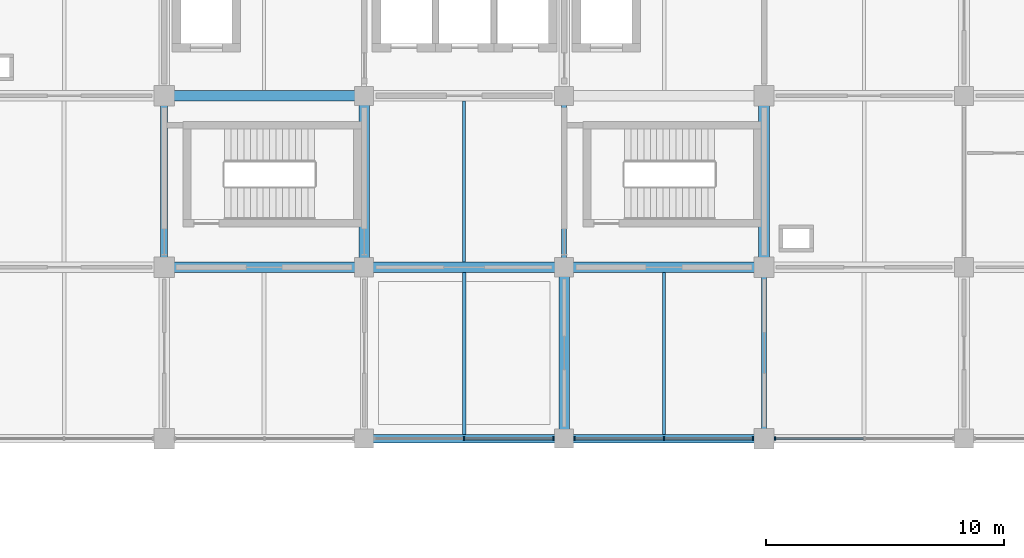
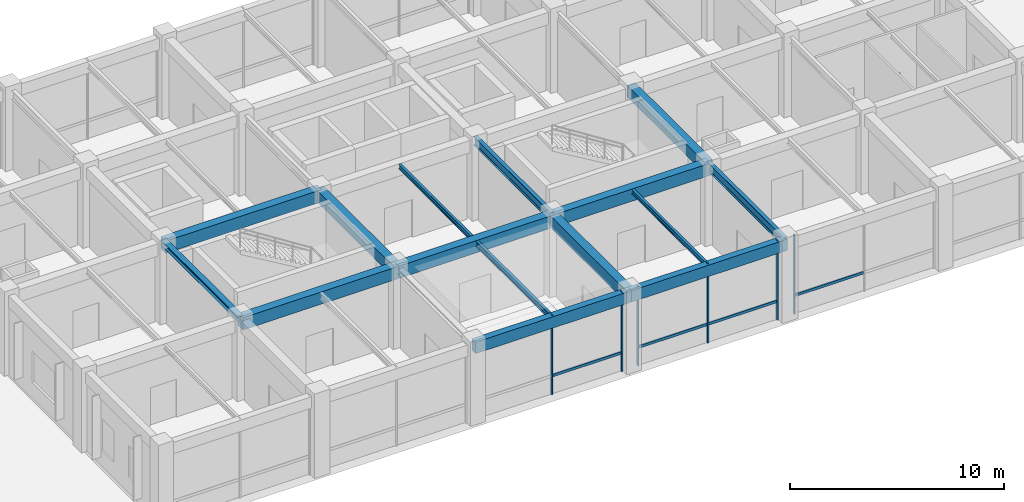
# One storey, part 31 of 45: 15 beams, 10 members, 3 elements without a shape of their own.
"""IFC4 building model written with IfcOpenShell, lengths in metres."""

from ifc_helpers import new_model, si_unit, derived_unit, direction, frame, origin, origin_2d, place, context, subcontext, project, spatial, rectangle, i_section, extrude, material, material_profile, profile_set, type_object, element, aggregate, save


model = new_model("IFC4")

# Units and contexts
model_context = context("Model", 3, precision=1e-05, world=origin(), true_north=direction((0.0, 1.0)))
body_context = subcontext(model_context, "Body", "Model", "MODEL_VIEW")
ifc_project = project(units=[si_unit("LENGTHUNIT", "METRE"), si_unit("AREAUNIT", "SQUARE_METRE"), si_unit("VOLUMEUNIT", "CUBIC_METRE"), si_unit("PLANEANGLEUNIT", "RADIAN"), si_unit("MASSUNIT", "GRAM", prefix="KILO"), derived_unit("THERMALTRANSMITTANCEUNIT", [(si_unit("MASSUNIT", "GRAM", prefix="KILO"), 1), (si_unit("TIMEUNIT", "SECOND"), -3), (si_unit("THERMODYNAMICTEMPERATUREUNIT", "KELVIN"), -1)])], contexts=[model_context])

# Site, building, storey
site_placement = place(None, origin())
site = spatial("IfcSite", under=ifc_project, at=site_placement, CompositionType="ELEMENT")
building_placement = place(site_placement, origin())
building = spatial("IfcBuilding", under=site, at=building_placement, Name="Veldstrom Oceanarium and Marine Research Institute", CompositionType="ELEMENT")
storey_placement = place(building_placement, frame((0.0, 0.0, 22.199951171875)))
storey = spatial("IfcBuildingStorey", under=building, at=storey_placement, Name="L04", CompositionType="ELEMENT", Elevation=22.199951171875)

# Curtain wall, members
ifc_material_1 = material(Name="Anodised Aluminium Framing", Category="aluminium")
curtain_wall_type = type_object("IfcCurtainWallType", Name="ARC-CW-CW03", PredefinedType="USERDEFINED", material=ifc_material_1)
curtain_wall_1_placement = place(storey_placement, origin())
curtain_wall_1 = element("IfcCurtainWall", 1, at=curtain_wall_1_placement, inside=storey, type_object=curtain_wall_type, Name="Curtain Wall CW03 CW-L04-082", ObjectType="Curtain wall", PredefinedType="USERDEFINED")
ifc_material_2 = material(Name="Anodised Aluminium Framing", Category="aluminium")
ifc_material_profile_1 = material_profile(ifc_material_2, rectangle(XDim=0.06494140625, YDim=0.14990234375, at=origin_2d()), Name="ALU-MUL-65x150")
ifc_profile_set_1 = profile_set([ifc_material_profile_1], Name="Anodised Aluminium Framing")
member_type_1 = type_object("IfcMemberType", Name="ARC-MUL-ML2", PredefinedType="MULLION", material=ifc_profile_set_1)
member_1_placement = place(storey_placement, frame((88.199951171875, 43.199951171875, 0.0), z_axis=(0.0, 0.0, 1.0), x_axis=(1.0, 0.0, 0.0)))
member_1 = element("IfcMember", 2, at=member_1_placement, type_object=member_type_1, Name="Curtain Wall Mullion CW-L04-082-MUL-2", PredefinedType="MULLION", context=body_context, shape_type="SweptSolid", body=[
    extrude(rectangle(XDim=0.06494140625, YDim=0.14990234375, at=origin_2d()), origin(), (0.0, 0.0, 1.0), 4.52001953125),
])
member_2_placement = place(storey_placement, frame((91.9599609375, 43.199951171875, 0.0), z_axis=(0.0, 0.0, 1.0), x_axis=(1.0, 0.0, 0.0)))
member_2 = element("IfcMember", 3, at=member_2_placement, type_object=member_type_1, Name="Curtain Wall Mullion CW-L04-082-MUL-3", PredefinedType="MULLION", context=body_context, shape_type="SweptSolid", body=[
    extrude(rectangle(XDim=0.06494140625, YDim=0.14990234375, at=origin_2d()), origin(), (0.0, 0.0, 1.0), 4.52001953125),
])

curtain_wall_2_placement = place(storey_placement, origin())
curtain_wall_2 = element("IfcCurtainWall", 4, at=curtain_wall_2_placement, inside=storey, type_object=curtain_wall_type, Name="Curtain Wall CW03 CW-L04-084", ObjectType="Curtain wall", PredefinedType="USERDEFINED")
member_3_placement = place(storey_placement, frame((92.840087890625, 43.199951171875, 0.0), z_axis=(0.0, 0.0, 1.0), x_axis=(1.0, 0.0, 0.0)))
member_3 = element("IfcMember", 5, at=member_3_placement, type_object=member_type_1, Name="Curtain Wall Mullion CW-L04-084-MUL-1", PredefinedType="MULLION", context=body_context, shape_type="SweptSolid", body=[
    extrude(rectangle(XDim=0.06494140625, YDim=0.14990234375, at=origin_2d()), origin(), (0.0, 0.0, 1.0), 4.52001953125),
])
member_4_placement = place(storey_placement, frame((96.58740234375, 43.199951171875, 0.0), z_axis=(0.0, 0.0, 1.0), x_axis=(1.0, 0.0, 0.0)))
member_4 = element("IfcMember", 6, at=member_4_placement, type_object=member_type_1, Name="Curtain Wall Mullion CW-L04-084-MUL-2", PredefinedType="MULLION", context=body_context, shape_type="SweptSolid", body=[
    extrude(rectangle(XDim=0.06494140625, YDim=0.14990234375, at=origin_2d()), origin(), (0.0, 0.0, 1.0), 4.52001953125),
])
member_5_placement = place(storey_placement, frame((100.3349609375, 43.199951171875, 0.0), z_axis=(0.0, 0.0, 1.0), x_axis=(1.0, 0.0, 0.0)))
member_5 = element("IfcMember", 7, at=member_5_placement, type_object=member_type_1, Name="Curtain Wall Mullion CW-L04-084-MUL-3", PredefinedType="MULLION", context=body_context, shape_type="SweptSolid", body=[
    extrude(rectangle(XDim=0.06494140625, YDim=0.14990234375, at=origin_2d()), origin(), (0.0, 0.0, 1.0), 4.52001953125),
])

# Curtain wall, member
curtain_wall_3_placement = place(storey_placement, origin())
curtain_wall_3 = element("IfcCurtainWall", 8, at=curtain_wall_3_placement, inside=storey, type_object=curtain_wall_type, Name="Curtain Wall CW03 CW-L04-086", ObjectType="Curtain wall", PredefinedType="USERDEFINED")
member_6_placement = place(storey_placement, frame((101.264892578125, 43.199951171875, 0.0), z_axis=(0.0, 0.0, 1.0), x_axis=(1.0, 0.0, 0.0)))
member_6 = element("IfcMember", 9, at=member_6_placement, type_object=member_type_1, Name="Curtain Wall Mullion CW-L04-086-MUL-1", PredefinedType="MULLION", context=body_context, shape_type="SweptSolid", body=[
    extrude(rectangle(XDim=0.06494140625, YDim=0.14990234375, at=origin_2d()), origin(), (0.0, 0.0, 1.0), 4.52001953125),
])

# Member
ifc_material_3 = material(Name="Anodised Aluminium Framing", Category="aluminium")
ifc_material_profile_2 = material_profile(ifc_material_3, rectangle(XDim=0.074951171875, YDim=0.14990234375, at=origin_2d()), Name="ALU-TRN-75x150")
ifc_profile_set_2 = profile_set([ifc_material_profile_2], Name="Anodised Aluminium Framing")
member_type_2 = type_object("IfcMemberType", Name="ARC-TRN-TR1", PredefinedType="USERDEFINED", material=ifc_profile_set_2)
member_7_placement = place(storey_placement, frame((88.239990234375, 43.199951171875, 1.050048828125), z_axis=(1.0, 0.0, 0.0), x_axis=(0.0, 1.0, 0.0)))
member_7 = element("IfcMember", 10, at=member_7_placement, type_object=member_type_2, Name="Curtain Wall Transom CW-L04-082-TRN-2", ObjectType="Transom", PredefinedType="USERDEFINED", context=body_context, shape_type="SweptSolid", body=[
    extrude(rectangle(XDim=0.074951171875, YDim=0.14990234375, at=origin_2d()), origin(), (0.0, 0.0, 1.0), 3.679931640625),
])

aggregate(curtain_wall_1, [member_1, member_2, member_7])

member_8_placement = place(storey_placement, frame((92.8798828125, 43.199951171875, 1.050048828125), z_axis=(1.0, 0.0, 0.0), x_axis=(0.0, 1.0, 0.0)))
member_8 = element("IfcMember", 11, at=member_8_placement, type_object=member_type_2, Name="Curtain Wall Transom CW-L04-084-TRN-1", ObjectType="Transom", PredefinedType="USERDEFINED", context=body_context, shape_type="SweptSolid", body=[
    extrude(rectangle(XDim=0.074951171875, YDim=0.14990234375, at=origin_2d()), origin(), (0.0, 0.0, 1.0), 3.667724609375),
])

member_9_placement = place(storey_placement, frame((96.62744140625, 43.199951171875, 1.050048828125), z_axis=(1.0, 0.0, 0.0), x_axis=(0.0, 1.0, 0.0)))
member_9 = element("IfcMember", 12, at=member_9_placement, type_object=member_type_2, Name="Curtain Wall Transom CW-L04-084-TRN-2", ObjectType="Transom", PredefinedType="USERDEFINED", context=body_context, shape_type="SweptSolid", body=[
    extrude(rectangle(XDim=0.074951171875, YDim=0.14990234375, at=origin_2d()), origin(), (0.0, 0.0, 1.0), 3.66748046875),
])

aggregate(curtain_wall_2, [member_3, member_4, member_5, member_8, member_9])

member_10_placement = place(storey_placement, frame((101.304931640625, 43.199951171875, 1.050048828125), z_axis=(1.0, 0.0, 0.0), x_axis=(0.0, 1.0, 0.0)))
member_10 = element("IfcMember", 13, at=member_10_placement, type_object=member_type_2, Name="Curtain Wall Transom CW-L04-086-TRN-1", ObjectType="Transom", PredefinedType="USERDEFINED", context=body_context, shape_type="SweptSolid", body=[
    extrude(rectangle(XDim=0.074951171875, YDim=0.14990234375, at=origin_2d()), origin(), (0.0, 0.0, 1.0), 3.66748046875),
])

aggregate(curtain_wall_3, [member_6, member_10])

# Beams
ifc_material_4 = material(Name="Concrete C40/50", Category="concrete")
ifc_material_profile_3 = material_profile(ifc_material_4, rectangle(XDim=0.449951171875, YDim=0.699951171875, at=origin_2d()), Name="RC-BM-450x700")
ifc_profile_set_3 = profile_set([ifc_material_profile_3], Name="Concrete C40/50")
beam_type_1 = type_object("IfcBeamType", Name="STR-BM-B04", PredefinedType="BEAM", material=ifc_profile_set_3)
for number, where, z_axis, x_axis, name in (
    (14, (75.60009765625, 50.39990234375, 4.1650390625), (1.0, 0.0, 0.0), (0.0, 1.0, 0.0), "Primary Beam B04 L04-2101"),
    (15, (75.60009765625, 57.60009765625, 4.1650390625), (1.0, 0.0, 0.0), (0.0, 1.0, 0.0), "Primary Beam B04 L04-2102"),
    (16, (84.0, 50.39990234375, 4.1650390625), (1.0, 0.0, 0.0), (0.0, 1.0, 0.0), "Primary Beam B04 L04-2106"),
):
    element("IfcBeam", number, at=place(storey_placement, frame(where, z_axis=z_axis, x_axis=x_axis)), inside=storey, type_object=beam_type_1, Name=name, PredefinedType="BEAM", context=body_context, shape_type="SweptSolid", body=[
        extrude(rectangle(XDim=0.449951171875, YDim=0.699951171875, at=origin_2d()), origin(), (0.0, 0.0, 1.0), 8.39990234375),
    ])
beam_1_placement = place(storey_placement, frame((92.39990234375, 50.39990234375, 4.1650390625), z_axis=(1.0, 0.0, 0.0), x_axis=(0.0, 1.0, 0.0)))
element("IfcBeam", 17, at=beam_1_placement, inside=storey, type_object=beam_type_1, Name="Primary Beam B04 L04-2111", PredefinedType="BEAM", context=body_context, shape_type="SweptSolid", body=[
    extrude(rectangle(XDim=0.449951171875, YDim=0.699951171875, at=origin_2d()), origin(), (0.0, 0.0, 1.0), 8.400146484375),
])
ifc_material_5 = material(Name="Concrete C40/50", Category="concrete")
ifc_material_profile_4 = material_profile(ifc_material_5, rectangle(XDim=0.449951171875, YDim=0.64990234375, at=origin_2d()), Name="RC-BM-450x650")
ifc_profile_set_4 = profile_set([ifc_material_profile_4], Name="Concrete C40/50")
beam_type_2 = type_object("IfcBeamType", Name="STR-BM-B05", PredefinedType="BEAM", material=ifc_profile_set_4)
beam_2_placement = place(storey_placement, frame((84.0, 50.39990234375, 4.18994140625), z_axis=(0.0, 1.0, 0.0), x_axis=(-1.0, 0.0, 0.0)))
element("IfcBeam", 18, at=beam_2_placement, inside=storey, type_object=beam_type_2, Name="Primary Beam B05 L04-2134", PredefinedType="BEAM", context=body_context, shape_type="SweptSolid", body=[
    extrude(rectangle(XDim=0.449951171875, YDim=0.64990234375, at=origin_2d()), origin(), (0.0, 0.0, 1.0), 7.2001953125),
])
beam_3_placement = place(storey_placement, frame((92.39990234375, 43.199951171875, 4.18994140625), z_axis=(0.0, 1.0, 0.0), x_axis=(-1.0, 0.0, 0.0)))
element("IfcBeam", 19, at=beam_3_placement, inside=storey, type_object=beam_type_2, Name="Primary Beam B05 L04-2137", PredefinedType="BEAM", context=body_context, shape_type="SweptSolid", body=[
    extrude(rectangle(XDim=0.449951171875, YDim=0.64990234375, at=origin_2d()), origin(), (0.0, 0.0, 1.0), 7.199951171875),
])
beam_4_placement = place(storey_placement, frame((100.800048828125, 50.39990234375, 4.18994140625), z_axis=(0.0, 1.0, 0.0), x_axis=(-1.0, 0.0, 0.0)))
element("IfcBeam", 20, at=beam_4_placement, inside=storey, type_object=beam_type_2, Name="Primary Beam B05 L04-2142", PredefinedType="BEAM", context=body_context, shape_type="SweptSolid", body=[
    extrude(rectangle(XDim=0.449951171875, YDim=0.64990234375, at=origin_2d()), origin(), (0.0, 0.0, 1.0), 7.2001953125),
])
ifc_material_6 = material(Name="Steel S355JR", Category="steel")
ifc_material_profile_5 = material_profile(ifc_material_6, i_section(OverallWidth=0.300048828125, OverallDepth=0.2900390625, WebThickness=0.008544921875, FlangeThickness=0.013916015625, FilletRadius=0.027099609375, at=origin_2d()), Name="HEA 300")
ifc_profile_set_5 = profile_set([ifc_material_profile_5], Name="Steel S355JR")
beam_type_3 = type_object("IfcBeamType", Name="STR-BM-SB10", PredefinedType="BEAM", material=ifc_profile_set_5)
beam_5_placement = place(storey_placement, frame((75.60009765625, 50.39990234375, 4.3701171875), z_axis=(0.0, 1.0, 0.0), x_axis=(-1.0, 0.0, 0.0)))
element("IfcBeam", 21, at=beam_5_placement, inside=storey, type_object=beam_type_3, Name="Steel Tie Beam SB10 L04-2130", PredefinedType="BEAM", context=body_context, shape_type="SweptSolid", body=[
    extrude(i_section(OverallWidth=0.300048828125, OverallDepth=0.2900390625, WebThickness=0.008544921875, FlangeThickness=0.013916015625, FilletRadius=0.027099609375, at=origin_2d()), origin(), (0.0, 0.0, 1.0), 7.2001953125),
])
ifc_material_7 = material(Name="Steel S355JR", Category="steel")
ifc_material_profile_6 = material_profile(ifc_material_7, i_section(OverallWidth=0.199951171875, OverallDepth=0.5, WebThickness=0.01025390625, FlangeThickness=0.01611328125, FilletRadius=0.02099609375, at=origin_2d()), Name="IPE 500")
ifc_profile_set_6 = profile_set([ifc_material_profile_6], Name="Steel S355JR")
beam_type_4 = type_object("IfcBeamType", Name="STR-BM-SB6", PredefinedType="BEAM", material=ifc_profile_set_6)
beam_6_placement = place(storey_placement, frame((92.39990234375, 50.39990234375, 4.26513671875), z_axis=(0.0, 1.0, 0.0), x_axis=(-1.0, 0.0, 0.0)))
element("IfcBeam", 22, at=beam_6_placement, inside=storey, type_object=beam_type_4, Name="Steel Tie Beam SB6 L04-2138", PredefinedType="BEAM", context=body_context, shape_type="SweptSolid", body=[
    extrude(i_section(OverallWidth=0.199951171875, OverallDepth=0.5, WebThickness=0.01025390625, FlangeThickness=0.01611328125, FilletRadius=0.02099609375, at=origin_2d()), origin(), (0.0, 0.0, 1.0), 7.2001953125),
])
beam_7_placement = place(storey_placement, frame((100.800048828125, 43.199951171875, 4.26513671875), z_axis=(0.0, 1.0, 0.0), x_axis=(-1.0, 0.0, 0.0)))
element("IfcBeam", 23, at=beam_7_placement, inside=storey, type_object=beam_type_4, Name="Steel Tie Beam SB6 L04-2141", PredefinedType="BEAM", context=body_context, shape_type="SweptSolid", body=[
    extrude(i_section(OverallWidth=0.199951171875, OverallDepth=0.5, WebThickness=0.01025390625, FlangeThickness=0.01611328125, FilletRadius=0.02099609375, at=origin_2d()), origin(), (0.0, 0.0, 1.0), 7.199951171875),
])
ifc_material_8 = material(Name="Steel S355JR", Category="steel")
ifc_material_profile_7 = material_profile(ifc_material_8, i_section(OverallWidth=0.14990234375, OverallDepth=0.300048828125, WebThickness=0.007080078125, FlangeThickness=0.0107421875, FilletRadius=0.014892578125, at=origin_2d()), Name="IPE 300")
ifc_profile_set_7 = profile_set([ifc_material_profile_7], Name="Steel S355JR")
beam_type_5 = type_object("IfcBeamType", Name="STR-JST-SJ2", PredefinedType="JOIST", material=ifc_profile_set_7)
beam_8_placement = place(storey_placement, frame((88.199951171875, 43.375, 4.364990234375), z_axis=(0.0, 1.0, 0.0), x_axis=(-1.0, 0.0, 0.0)))
element("IfcBeam", 24, at=beam_8_placement, inside=storey, type_object=beam_type_5, Name="Secondary Joist SJ2 L04-2160", PredefinedType="JOIST", context=body_context, shape_type="SweptSolid", body=[
    extrude(i_section(OverallWidth=0.14990234375, OverallDepth=0.300048828125, WebThickness=0.007080078125, FlangeThickness=0.0107421875, FilletRadius=0.014892578125, at=origin_2d()), origin(), (0.0, 0.0, 1.0), 6.800048828125),
])
ifc_material_9 = material(Name="Steel S355JR", Category="steel")
ifc_material_profile_8 = material_profile(ifc_material_9, i_section(OverallWidth=0.135009765625, OverallDepth=0.27001953125, WebThickness=0.006591796875, FlangeThickness=0.01025390625, FilletRadius=0.014892578125, at=origin_2d()), Name="IPE 270")
ifc_profile_set_8 = profile_set([ifc_material_profile_8], Name="Steel S355JR")
beam_type_6 = type_object("IfcBeamType", Name="STR-JST-SJ3", PredefinedType="JOIST", material=ifc_profile_set_8)
beam_9_placement = place(storey_placement, frame((88.199951171875, 50.625, 4.380126953125), z_axis=(0.0, 1.0, 0.0), x_axis=(-1.0, 0.0, 0.0)))
element("IfcBeam", 25, at=beam_9_placement, inside=storey, type_object=beam_type_6, Name="Secondary Joist SJ3 L04-2161", PredefinedType="JOIST", context=body_context, shape_type="SweptSolid", body=[
    extrude(i_section(OverallWidth=0.135009765625, OverallDepth=0.27001953125, WebThickness=0.006591796875, FlangeThickness=0.01025390625, FilletRadius=0.014892578125, at=origin_2d()), origin(), (0.0, 0.0, 1.0), 6.75),
])
beam_10_placement = place(storey_placement, frame((96.60009765625, 43.375, 4.380126953125), z_axis=(0.0, 1.0, 0.0), x_axis=(-1.0, 0.0, 0.0)))
element("IfcBeam", 26, at=beam_10_placement, inside=storey, type_object=beam_type_6, Name="Secondary Joist SJ3 L04-2163", PredefinedType="JOIST", context=body_context, shape_type="SweptSolid", body=[
    extrude(i_section(OverallWidth=0.135009765625, OverallDepth=0.27001953125, WebThickness=0.006591796875, FlangeThickness=0.01025390625, FilletRadius=0.014892578125, at=origin_2d()), origin(), (0.0, 0.0, 1.0), 6.800048828125),
])
ifc_material_10 = material(Name="Concrete C40/50", Category="concrete")
ifc_material_profile_9 = material_profile(ifc_material_10, rectangle(XDim=0.35009765625, YDim=0.64990234375, at=origin_2d()), Name="RC-SPN-350x650")
ifc_profile_set_9 = profile_set([ifc_material_profile_9], Name="Concrete C40/50")
beam_type_7 = type_object("IfcBeamType", Name="STR-SPN-SP1", PredefinedType="SPANDREL", material=ifc_profile_set_9)
beam_11_placement = place(storey_placement, frame((84.0, 43.199951171875, 4.18994140625), z_axis=(1.0, 0.0, 0.0), x_axis=(0.0, 1.0, 0.0)))
element("IfcBeam", 27, at=beam_11_placement, inside=storey, type_object=beam_type_7, Name="Perimeter Spandrel SPB1 L04-2105", PredefinedType="SPANDREL", context=body_context, shape_type="SweptSolid", body=[
    extrude(rectangle(XDim=0.35009765625, YDim=0.64990234375, at=origin_2d()), origin(), (0.0, 0.0, 1.0), 8.39990234375),
])
beam_12_placement = place(storey_placement, frame((92.39990234375, 43.199951171875, 4.18994140625), z_axis=(1.0, 0.0, 0.0), x_axis=(0.0, 1.0, 0.0)))
element("IfcBeam", 28, at=beam_12_placement, inside=storey, type_object=beam_type_7, Name="Perimeter Spandrel SPB1 L04-2110", PredefinedType="SPANDREL", context=body_context, shape_type="SweptSolid", body=[
    extrude(rectangle(XDim=0.35009765625, YDim=0.64990234375, at=origin_2d()), origin(), (0.0, 0.0, 1.0), 8.400146484375),
])

save(model, "model.ifc")
